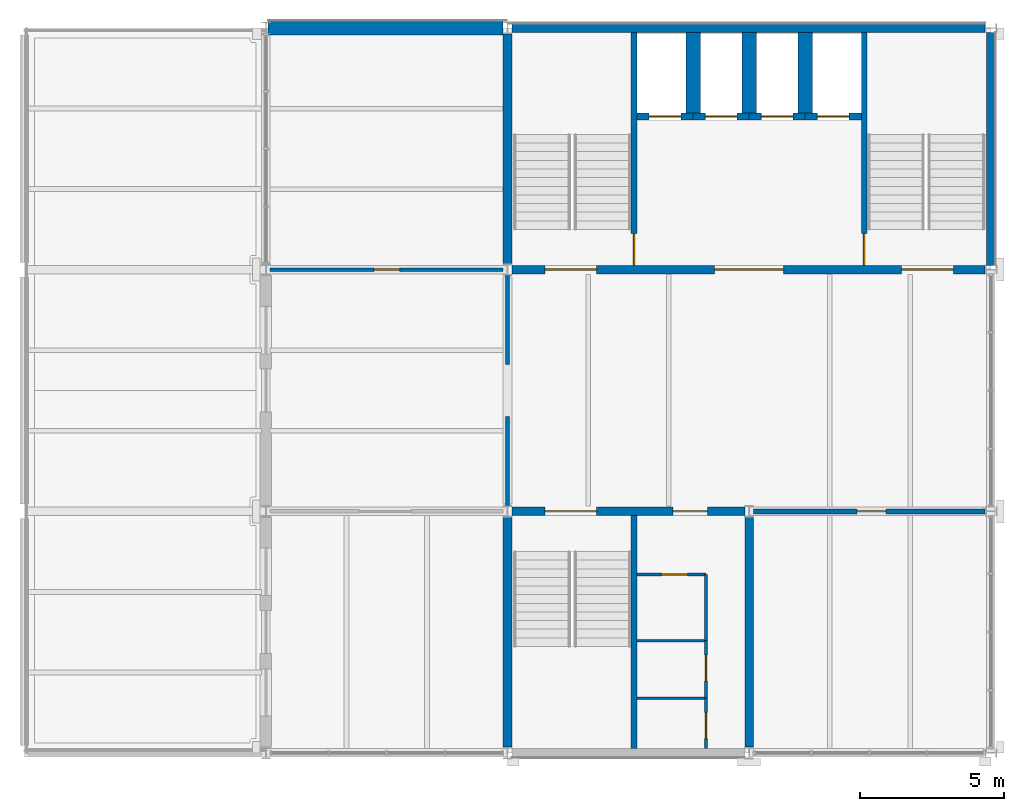
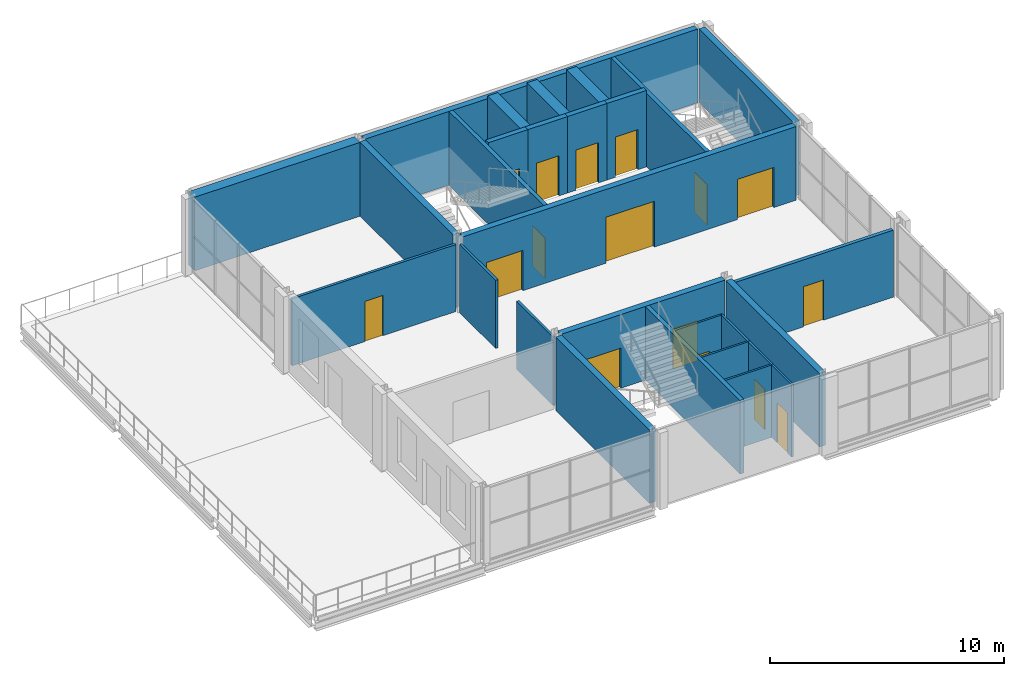
# One storey, part 7 of 9: 28 walls, 16 doors, 16 openings.
"""IFC4 building model written with IfcOpenShell, lengths in metres."""

from ifc_helpers import new_model, si_unit, direction, frame, frame_2d, origin, place, context, subcontext, project, spatial, rectangle, extrude, material, layer, layer_set, type_object, element, fill, save


model = new_model("IFC4")

# Units and contexts
model_context = context("Model", 3, precision=1e-05, world=origin(), true_north=direction((0.0, 1.0)))
body_context = subcontext(model_context, "Body", "Model", "MODEL_VIEW")
ifc_project = project(units=[si_unit("LENGTHUNIT", "METRE"), si_unit("AREAUNIT", "SQUARE_METRE"), si_unit("VOLUMEUNIT", "CUBIC_METRE"), si_unit("PLANEANGLEUNIT", "RADIAN"), si_unit("MASSUNIT", "GRAM", prefix="KILO")], contexts=[model_context])

# Site, building, storey
site_placement = place(None, origin())
site = spatial("IfcSite", under=ifc_project, at=site_placement, CompositionType="ELEMENT")
building_placement = place(site_placement, origin())
building = spatial("IfcBuilding", under=site, at=building_placement, Name="Galleria Vessillo Department Store", CompositionType="ELEMENT")
storey_placement = place(building_placement, frame((0.0, 0.0, 47.60009765625)))
storey = spatial("IfcBuildingStorey", under=building, at=storey_placement, Name="L10", CompositionType="ELEMENT", Elevation=47.60009765625)

# Wall, opening, door
ifc_material_1 = material(Name="Acoustic gypsum board partition")
ifc_layer_1 = layer(ifc_material_1, 0.175048828125)
ifc_layer_set_1 = layer_set([ifc_layer_1], Name="Acoustic gypsum board partition")
wall_type_1 = type_object("IfcWallType", Name="Acoustic conference partition 175 mm", PredefinedType="PARTITIONING", material=ifc_layer_set_1)
wall_1_placement = place(storey_placement, frame((109.349853515625, 46.199951171875, 0.0), z_axis=(0.0, 0.0, 1.0), x_axis=(1.0, 0.0, 0.0)))
wall_1 = element("IfcWall", 1, at=wall_1_placement, inside=storey, type_object=wall_type_1, Name="Partition wall PT6 on L10 no. 008", PredefinedType="PARTITIONING", context=body_context, shape_type="SweptSolid", body=[
    extrude(rectangle(XDim=8.05029296875, YDim=0.175048828125, at=frame_2d((4.025146484375, 0.0))), origin(), (0.0, 0.0, 1.0), 3.5),
])
opening_1_placement = place(wall_1_placement, frame((3.60009765625, 0.0, 0.0)))
opening_1 = element("IfcOpeningElement", 2, at=opening_1_placement, cuts=wall_1, Name="Opening D3205", PredefinedType="OPENING", context=body_context, shape_type="SweptSolid", body=[
    extrude(rectangle(XDim=1.0, YDim=2.10009765625, at=frame_2d((0.5, 1.050048828125))), frame((0.0, 0.09765625, 0.0), z_axis=(0.0, -1.0, 0.0), x_axis=(1.0, 0.0, 0.0)), (0.0, 0.0, 1.0), 0.195068359375),
])
ifc_material_2 = material(Name="Timber and glass door leaf", Category="wood")
door_type_1 = type_object("IfcDoorType", Name="Floor door 1000 single leaf", OperationType="SINGLE_SWING_LEFT", PredefinedType="DOOR", material=ifc_material_2)
door_1_placement = place(opening_1_placement, frame((1.0, 0.0, 0.0), z_axis=(0.0, 0.0, 1.0), x_axis=(-1.0, 0.0, 0.0)))
door_1 = element("IfcDoor", 3, at=door_1_placement, inside=storey, type_object=door_type_1, Name="Door D3205", OperationType="SINGLE_SWING_RIGHT", OverallHeight=2.10009765625, OverallWidth=1.0, PredefinedType="DOOR", context=body_context, shape_type="SweptSolid", body=[
    extrude(rectangle(XDim=1.0, YDim=2.10009765625, at=frame_2d((0.5, 1.050048828125))), frame((0.0, 0.02490234375, 0.0), z_axis=(0.0, -1.0, 0.0), x_axis=(1.0, 0.0, 0.0)), (0.0, 0.0, 1.0), 0.050048828125),
])
fill(opening_1, door_1)

# Walls
ifc_material_3 = material(Name="Solid clay block masonry", Category="masonry")
ifc_layer_2 = layer(ifc_material_3, 0.5)
ifc_layer_set_2 = layer_set([ifc_layer_2], Name="Solid clay block masonry")
wall_type_2 = type_object("IfcWallType", Name="Lift shaft partition wall 500 mm", PredefinedType="SOLIDWALL", material=ifc_layer_set_2)
for number, where, z_axis, x_axis, name in (
    (4, (107.25, 62.85009765625, 0.0), (0.0, 0.0, 1.0), (0.0, -1.0, 0.0), "Lift shaft partition wall T1 L10"),
    (5, (109.199951171875, 62.85009765625, 0.0), (0.0, 0.0, 1.0), (0.0, -1.0, 0.0), "Lift shaft partition wall T2 L10"),
    (6, (111.14990234375, 62.85009765625, 0.0), (0.0, 0.0, 1.0), (0.0, -1.0, 0.0), "Lift shaft partition wall T3 L10"),
):
    element("IfcWall", number, at=place(storey_placement, frame(where, z_axis=z_axis, x_axis=x_axis)), inside=storey, type_object=wall_type_2, Name=name, PredefinedType="SOLIDWALL", context=body_context, shape_type="SweptSolid", body=[
        extrude(rectangle(XDim=2.800048828125, YDim=0.5, at=frame_2d((1.39990234375, 0.0))), origin(), (0.0, 0.0, 1.0), 4.0),
    ])

# Wall, opening, door
ifc_material_4 = material(Name="Solid clay block masonry", Category="masonry")
ifc_layer_3 = layer(ifc_material_4, 0.25)
ifc_layer_set_3 = layer_set([ifc_layer_3], Name="Solid clay block masonry")
wall_type_3 = type_object("IfcWallType", Name="Lift shaft wall 250 mm", PredefinedType="SOLIDWALL", material=ifc_layer_set_3)
wall_2_placement = place(storey_placement, frame((105.300048828125, 59.925048828125, 0.0), z_axis=(0.0, 0.0, 1.0), x_axis=(1.0, 0.0, 0.0)))
wall_2 = element("IfcWall", 7, at=wall_2_placement, inside=storey, type_object=wall_type_3, Name="Lift shaft wall T1 landing side L10", PredefinedType="SOLIDWALL", context=body_context, shape_type="SweptSolid", body=[
    extrude(rectangle(XDim=1.949951171875, YDim=0.25, at=frame_2d((0.97509765625, 0.0))), origin(), (0.0, 0.0, 1.0), 4.0),
])
opening_2_placement = place(wall_2_placement, frame((0.4248046875, 0.0, 0.0)))
opening_2 = element("IfcOpeningElement", 8, at=opening_2_placement, cuts=wall_2, Name="Opening LD113", PredefinedType="OPENING", context=body_context, shape_type="SweptSolid", body=[
    extrude(rectangle(XDim=1.10009765625, YDim=2.10009765625, at=frame_2d((0.550048828125, 1.050048828125))), frame((0.0, 0.135009765625, 0.0), z_axis=(0.0, -1.0, 0.0), x_axis=(1.0, 0.0, 0.0)), (0.0, 0.0, 1.0), 0.27001953125),
])
ifc_material_5 = material(Name="Stainless steel lift door panel", Category="steel")
door_type_2 = type_object("IfcDoorType", Name="Lift landing door LD110 sliding 1100 x 2100", OperationType="SLIDING_TO_LEFT", PredefinedType="DOOR", material=ifc_material_5)
door_2_placement = place(opening_2_placement, frame((1.10009765625, 0.0, 0.0), z_axis=(0.0, 0.0, 1.0), x_axis=(-1.0, 0.0, 0.0)))
door_2 = element("IfcDoor", 9, at=door_2_placement, inside=storey, type_object=door_type_2, Name="Lift landing door T1 L10", OperationType="SLIDING_TO_RIGHT", OverallHeight=2.10009765625, OverallWidth=1.10009765625, PredefinedType="DOOR", context=body_context, shape_type="SweptSolid", body=[
    extrude(rectangle(XDim=1.10009765625, YDim=2.10009765625, at=frame_2d((0.550048828125, 1.050048828125))), frame((0.0, 0.02490234375, 0.0), z_axis=(0.0, -1.0, 0.0), x_axis=(1.0, 0.0, 0.0)), (0.0, 0.0, 1.0), 0.050048828125),
])
fill(opening_2, door_2)

wall_3_placement = place(storey_placement, frame((107.25, 59.925048828125, 0.0), z_axis=(0.0, 0.0, 1.0), x_axis=(1.0, 0.0, 0.0)))
wall_3 = element("IfcWall", 10, at=wall_3_placement, inside=storey, type_object=wall_type_3, Name="Lift shaft wall T2 landing side L10", PredefinedType="SOLIDWALL", context=body_context, shape_type="SweptSolid", body=[
    extrude(rectangle(XDim=1.949951171875, YDim=0.25, at=frame_2d((0.97509765625, 0.0))), origin(), (0.0, 0.0, 1.0), 4.0),
])
opening_3_placement = place(wall_3_placement, frame((0.425048828125, 0.0, 0.0)))
opening_3 = element("IfcOpeningElement", 11, at=opening_3_placement, cuts=wall_3, Name="Opening LD114", PredefinedType="OPENING", context=body_context, shape_type="SweptSolid", body=[
    extrude(rectangle(XDim=1.10009765625, YDim=2.10009765625, at=frame_2d((0.550048828125, 1.050048828125))), frame((0.0, 0.135009765625, 0.0), z_axis=(0.0, -1.0, 0.0), x_axis=(1.0, 0.0, 0.0)), (0.0, 0.0, 1.0), 0.27001953125),
])
door_3_placement = place(opening_3_placement, frame((1.10009765625, 0.0, 0.0), z_axis=(0.0, 0.0, 1.0), x_axis=(-1.0, 0.0, 0.0)))
door_3 = element("IfcDoor", 12, at=door_3_placement, inside=storey, type_object=door_type_2, Name="Lift landing door T2 L10", OperationType="SLIDING_TO_RIGHT", OverallHeight=2.10009765625, OverallWidth=1.10009765625, PredefinedType="DOOR", context=body_context, shape_type="SweptSolid", body=[
    extrude(rectangle(XDim=1.10009765625, YDim=2.10009765625, at=frame_2d((0.550048828125, 1.050048828125))), frame((0.0, 0.02490234375, 0.0), z_axis=(0.0, -1.0, 0.0), x_axis=(1.0, 0.0, 0.0)), (0.0, 0.0, 1.0), 0.050048828125),
])
fill(opening_3, door_3)

wall_4_placement = place(storey_placement, frame((109.199951171875, 59.925048828125, 0.0), z_axis=(0.0, 0.0, 1.0), x_axis=(1.0, 0.0, 0.0)))
wall_4 = element("IfcWall", 13, at=wall_4_placement, inside=storey, type_object=wall_type_3, Name="Lift shaft wall T3 landing side L10", PredefinedType="SOLIDWALL", context=body_context, shape_type="SweptSolid", body=[
    extrude(rectangle(XDim=1.949951171875, YDim=0.25, at=frame_2d((0.97509765625, 0.0))), origin(), (0.0, 0.0, 1.0), 4.0),
])
opening_4_placement = place(wall_4_placement, frame((0.425048828125, 0.0, 0.0)))
opening_4 = element("IfcOpeningElement", 14, at=opening_4_placement, cuts=wall_4, Name="Opening LD115", PredefinedType="OPENING", context=body_context, shape_type="SweptSolid", body=[
    extrude(rectangle(XDim=1.10009765625, YDim=2.10009765625, at=frame_2d((0.550048828125, 1.050048828125))), frame((0.0, 0.135009765625, 0.0), z_axis=(0.0, -1.0, 0.0), x_axis=(1.0, 0.0, 0.0)), (0.0, 0.0, 1.0), 0.27001953125),
])
door_4_placement = place(opening_4_placement, frame((1.10009765625, 0.0, 0.0), z_axis=(0.0, 0.0, 1.0), x_axis=(-1.0, 0.0, 0.0)))
door_4 = element("IfcDoor", 15, at=door_4_placement, inside=storey, type_object=door_type_2, Name="Lift landing door T3 L10", OperationType="SLIDING_TO_RIGHT", OverallHeight=2.10009765625, OverallWidth=1.10009765625, PredefinedType="DOOR", context=body_context, shape_type="SweptSolid", body=[
    extrude(rectangle(XDim=1.10009765625, YDim=2.10009765625, at=frame_2d((0.550048828125, 1.050048828125))), frame((0.0, 0.02490234375, 0.0), z_axis=(0.0, -1.0, 0.0), x_axis=(1.0, 0.0, 0.0)), (0.0, 0.0, 1.0), 0.050048828125),
])
fill(opening_4, door_4)

wall_5_placement = place(storey_placement, frame((111.14990234375, 59.925048828125, 0.0), z_axis=(0.0, 0.0, 1.0), x_axis=(1.0, 0.0, 0.0)))
wall_5 = element("IfcWall", 16, at=wall_5_placement, inside=storey, type_object=wall_type_3, Name="Lift shaft wall T4 landing side L10", PredefinedType="SOLIDWALL", context=body_context, shape_type="SweptSolid", body=[
    extrude(rectangle(XDim=1.9501953125, YDim=0.25, at=frame_2d((0.97509765625, 0.0))), origin(), (0.0, 0.0, 1.0), 4.0),
])
opening_5_placement = place(wall_5_placement, frame((0.425048828125, 0.0, 0.0)))
opening_5 = element("IfcOpeningElement", 17, at=opening_5_placement, cuts=wall_5, Name="Opening LD116", PredefinedType="OPENING", context=body_context, shape_type="SweptSolid", body=[
    extrude(rectangle(XDim=1.10009765625, YDim=2.10009765625, at=frame_2d((0.550048828125, 1.050048828125))), frame((0.0, 0.135009765625, 0.0), z_axis=(0.0, -1.0, 0.0), x_axis=(1.0, 0.0, 0.0)), (0.0, 0.0, 1.0), 0.27001953125),
])
door_5_placement = place(opening_5_placement, frame((1.10009765625, 0.0, 0.0), z_axis=(0.0, 0.0, 1.0), x_axis=(-1.0, 0.0, 0.0)))
door_5 = element("IfcDoor", 18, at=door_5_placement, inside=storey, type_object=door_type_2, Name="Lift landing door T4 L10", OperationType="SLIDING_TO_LEFT", OverallHeight=2.10009765625, OverallWidth=1.10009765625, PredefinedType="DOOR", context=body_context, shape_type="SweptSolid", body=[
    extrude(rectangle(XDim=1.10009765625, YDim=2.10009765625, at=frame_2d((0.550048828125, 1.050048828125))), frame((0.0, 0.02490234375, 0.0), z_axis=(0.0, -1.0, 0.0), x_axis=(1.0, 0.0, 0.0)), (0.0, 0.0, 1.0), 0.050048828125),
])
fill(opening_5, door_5)

# Walls
ifc_material_6 = material(Name="Gypsum board partition")
ifc_layer_4 = layer(ifc_material_6, 0.125)
ifc_layer_set_4 = layer_set([ifc_layer_4], Name="Gypsum board partition")
wall_type_4 = type_object("IfcWallType", Name="Office partition 125 mm", PredefinedType="PARTITIONING", material=ifc_layer_set_4)
for number, where, z_axis, x_axis, name in (
    (19, (100.800048828125, 46.39990234375, 0.0), (0.0, 0.0, 1.0), (0.0, 1.0, 0.0), "Partition wall PT2 on L10 no. 009"),
    (20, (100.800048828125, 51.300048828125, 0.0), (0.0, 0.0, 1.0), (0.0, 1.0, 0.0), "Partition wall PT2 on L10 no. 010"),
):
    element("IfcWall", number, at=place(storey_placement, frame(where, z_axis=z_axis, x_axis=x_axis)), inside=storey, type_object=wall_type_4, Name=name, PredefinedType="PARTITIONING", context=body_context, shape_type="SweptSolid", body=[
        extrude(rectangle(XDim=3.10009765625, YDim=0.125, at=frame_2d((1.550048828125, 0.0))), origin(), (0.0, 0.0, 1.0), 3.56005859375),
    ])

# Wall, opening, door
wall_6_placement = place(storey_placement, frame((92.5498046875, 54.60009765625, 0.0), z_axis=(0.0, 0.0, 1.0), x_axis=(1.0, 0.0, 0.0)))
wall_6 = element("IfcWall", 21, at=wall_6_placement, inside=storey, type_object=wall_type_4, Name="Partition wall PT2 on L10 no. 011", PredefinedType="PARTITIONING", context=body_context, shape_type="SweptSolid", body=[
    extrude(rectangle(XDim=8.100341796875, YDim=0.125, at=frame_2d((4.05029296875, 0.0))), origin(), (0.0, 0.0, 1.0), 3.5),
])
opening_6_placement = place(wall_6_placement, frame((3.60009765625, 0.0, 0.0)))
opening_6 = element("IfcOpeningElement", 22, at=opening_6_placement, cuts=wall_6, Name="Opening D3206", PredefinedType="OPENING", context=body_context, shape_type="SweptSolid", body=[
    extrude(rectangle(XDim=0.89990234375, YDim=2.10009765625, at=frame_2d((0.449951171875, 1.050048828125))), frame((0.0, 0.072509765625, 0.0), z_axis=(0.0, -1.0, 0.0), x_axis=(1.0, 0.0, 0.0)), (0.0, 0.0, 1.0), 0.14501953125),
])
ifc_material_7 = material(Name="Timber and glass door leaf", Category="wood")
door_type_3 = type_object("IfcDoorType", Name="Floor door 900 single leaf", OperationType="SINGLE_SWING_LEFT", PredefinedType="DOOR", material=ifc_material_7)
door_6_placement = place(opening_6_placement, origin())
door_6 = element("IfcDoor", 23, at=door_6_placement, inside=storey, type_object=door_type_3, Name="Door D3206", OperationType="SINGLE_SWING_RIGHT", OverallHeight=2.10009765625, OverallWidth=0.89990234375, PredefinedType="DOOR", context=body_context, shape_type="SweptSolid", body=[
    extrude(rectangle(XDim=0.89990234375, YDim=2.10009765625, at=frame_2d((0.449951171875, 1.050048828125))), frame((0.0, 0.02490234375, 0.0), z_axis=(0.0, -1.0, 0.0), x_axis=(1.0, 0.0, 0.0)), (0.0, 0.0, 1.0), 0.050048828125),
])
fill(opening_6, door_6)

# Wall, openings, doors
ifc_material_8 = material(Name="Concrete C32/40 reinforced", Category="concrete")
ifc_layer_5 = layer(ifc_material_8, 0.300048828125)
ifc_layer_set_5 = layer_set([ifc_layer_5], Name="Concrete C32/40 reinforced")
wall_type_5 = type_object("IfcWallType", Name="Reinforced concrete core wall 300 mm", PredefinedType="SHEAR", material=ifc_layer_set_5)
wall_7_placement = place(storey_placement, frame((100.949951171875, 54.60009765625, 0.0), z_axis=(0.0, 0.0, 1.0), x_axis=(1.0, 0.0, 0.0)))
wall_7 = element("IfcWall", 24, at=wall_7_placement, inside=storey, type_object=wall_type_5, Name="S-CW-TC-INTERIOR-L10", PredefinedType="SHEAR", context=body_context, shape_type="SweptSolid", body=[
    extrude(rectangle(XDim=16.4501953125, YDim=0.300048828125, at=frame_2d((8.22509765625, 0.0))), origin(), (0.0, 0.0, 1.0), 3.85009765625),
])
opening_7_placement = place(wall_7_placement, frame((1.14990234375, 0.0, 0.0)))
opening_7 = element("IfcOpeningElement", 25, at=opening_7_placement, cuts=wall_7, Name="Opening D5292", PredefinedType="OPENING", context=body_context, shape_type="SweptSolid", body=[
    extrude(rectangle(XDim=1.800048828125, YDim=2.10009765625, at=frame_2d((0.89990234375, 1.050048828125))), frame((0.0, 0.16015625, 0.0), z_axis=(0.0, -1.0, 0.0), x_axis=(1.0, 0.0, 0.0)), (0.0, 0.0, 1.0), 0.320068359375),
])
opening_8_placement = place(wall_7_placement, frame((13.5498046875, 0.0, 0.0)))
opening_8 = element("IfcOpeningElement", 26, at=opening_8_placement, cuts=wall_7, Name="Opening D5293", PredefinedType="OPENING", context=body_context, shape_type="SweptSolid", body=[
    extrude(rectangle(XDim=1.800048828125, YDim=2.10009765625, at=frame_2d((0.89990234375, 1.050048828125))), frame((0.0, 0.16015625, 0.0), z_axis=(0.0, -1.0, 0.0), x_axis=(1.0, 0.0, 0.0)), (0.0, 0.0, 1.0), 0.320068359375),
])
opening_9_placement = place(wall_7_placement, frame((7.0498046875, 0.0, 0.0)))
opening_9 = element("IfcOpeningElement", 27, at=opening_9_placement, cuts=wall_7, Name="Opening D5294", PredefinedType="OPENING", context=body_context, shape_type="SweptSolid", body=[
    extrude(rectangle(XDim=2.39990234375, YDim=2.39990234375, at=frame_2d((1.199951171875, 1.199951171875))), frame((0.0, 0.16015625, 0.0), z_axis=(0.0, -1.0, 0.0), x_axis=(1.0, 0.0, 0.0)), (0.0, 0.0, 1.0), 0.320068359375),
])
ifc_material_9 = material(Name="Fire-rated steel door leaf", Category="steel")
door_type_4 = type_object("IfcDoorType", Name="Door D180F double leaf 1800 x 2100", OperationType="DOUBLE_DOOR_SINGLE_SWING", PredefinedType="DOOR", material=ifc_material_9)
door_7_placement = place(opening_7_placement, origin())
door_7 = element("IfcDoor", 28, at=door_7_placement, inside=storey, type_object=door_type_4, Name="Lobby door TC-ST8-FLOOR L10", OperationType="DOUBLE_DOOR_SINGLE_SWING", OverallHeight=2.10009765625, OverallWidth=1.800048828125, PredefinedType="DOOR", context=body_context, shape_type="SweptSolid", body=[
    extrude(rectangle(XDim=1.800048828125, YDim=2.10009765625, at=frame_2d((0.89990234375, 1.050048828125))), frame((0.0, 0.02490234375, 0.0), z_axis=(0.0, -1.0, 0.0), x_axis=(1.0, 0.0, 0.0)), (0.0, 0.0, 1.0), 0.050048828125),
])
fill(opening_7, door_7)
door_8_placement = place(opening_8_placement, origin())
door_8 = element("IfcDoor", 29, at=door_8_placement, inside=storey, type_object=door_type_4, Name="Lobby door TC-ST9-FLOOR L10", OperationType="DOUBLE_DOOR_SINGLE_SWING", OverallHeight=2.10009765625, OverallWidth=1.800048828125, PredefinedType="DOOR", context=body_context, shape_type="SweptSolid", body=[
    extrude(rectangle(XDim=1.800048828125, YDim=2.10009765625, at=frame_2d((0.89990234375, 1.050048828125))), frame((0.0, 0.02490234375, 0.0), z_axis=(0.0, -1.0, 0.0), x_axis=(1.0, 0.0, 0.0)), (0.0, 0.0, 1.0), 0.050048828125),
])
fill(opening_8, door_8)
ifc_material_10 = material(Name="Fire-rated steel door leaf", Category="steel")
door_type_5 = type_object("IfcDoorType", Name="Door D240F double leaf 2400 x 2400", OperationType="DOUBLE_DOOR_SINGLE_SWING", PredefinedType="DOOR", material=ifc_material_10)
door_9_placement = place(opening_9_placement, frame((2.39990234375, 0.0, 0.0), z_axis=(0.0, 0.0, 1.0), x_axis=(-1.0, 0.0, 0.0)))
door_9 = element("IfcDoor", 30, at=door_9_placement, inside=storey, type_object=door_type_5, Name="Lobby door TC-LOBBY-FLOOR L10", OperationType="DOUBLE_DOOR_SINGLE_SWING", OverallHeight=2.39990234375, OverallWidth=2.39990234375, PredefinedType="DOOR", context=body_context, shape_type="SweptSolid", body=[
    extrude(rectangle(XDim=2.39990234375, YDim=2.39990234375, at=frame_2d((1.199951171875, 1.199951171875))), frame((0.0, 0.02490234375, 0.0), z_axis=(0.0, -1.0, 0.0), x_axis=(1.0, 0.0, 0.0)), (0.0, 0.0, 1.0), 0.050048828125),
])
fill(opening_9, door_9)

# Wall
wall_8_placement = place(storey_placement, frame((100.800048828125, 54.800048828125, 0.0), z_axis=(0.0, 0.0, 1.0), x_axis=(0.0, 1.0, 0.0)))
element("IfcWall", 31, at=wall_8_placement, inside=storey, type_object=wall_type_5, Name="S-CW-TC-WEST-L10", PredefinedType="SHEAR", context=body_context, shape_type="SweptSolid", body=[
    extrude(rectangle(XDim=8.0, YDim=0.300048828125, at=frame_2d((4.0, 0.0))), origin(), (0.0, 0.0, 1.0), 3.85009765625),
])

# Wall, openings, doors
wall_9_placement = place(storey_placement, frame((100.949951171875, 46.199951171875, 0.0), z_axis=(0.0, 0.0, 1.0), x_axis=(1.0, 0.0, 0.0)))
wall_9 = element("IfcWall", 32, at=wall_9_placement, inside=storey, type_object=wall_type_5, Name="S-CW-TS-INTERIOR-L10", PredefinedType="SHEAR", context=body_context, shape_type="SweptSolid", body=[
    extrude(rectangle(XDim=8.10009765625, YDim=0.300048828125, at=frame_2d((4.050048828125, 0.0))), origin(), (0.0, 0.0, 1.0), 3.85009765625),
])
opening_10_placement = place(wall_9_placement, frame((1.14990234375, 0.0, 0.0)))
opening_10 = element("IfcOpeningElement", 33, at=opening_10_placement, cuts=wall_9, Name="Opening D5329", PredefinedType="OPENING", context=body_context, shape_type="SweptSolid", body=[
    extrude(rectangle(XDim=1.800048828125, YDim=2.10009765625, at=frame_2d((0.89990234375, 1.050048828125))), frame((0.0, 0.16015625, 0.0), z_axis=(0.0, -1.0, 0.0), x_axis=(1.0, 0.0, 0.0)), (0.0, 0.0, 1.0), 0.320068359375),
])
opening_11_placement = place(wall_9_placement, frame((5.599853515625, 0.0, 0.0)))
opening_11 = element("IfcOpeningElement", 34, at=opening_11_placement, cuts=wall_9, Name="Opening D5330", PredefinedType="OPENING", context=body_context, shape_type="SweptSolid", body=[
    extrude(rectangle(XDim=1.199951171875, YDim=2.10009765625, at=frame_2d((0.60009765625, 1.050048828125))), frame((0.0, 0.16015625, 0.0), z_axis=(0.0, -1.0, 0.0), x_axis=(1.0, 0.0, 0.0)), (0.0, 0.0, 1.0), 0.320068359375),
])
ifc_material_11 = material(Name="Fire-rated steel door leaf", Category="steel")
door_type_6 = type_object("IfcDoorType", Name="Door D120F fire door 1200 x 2100", OperationType="SINGLE_SWING_LEFT", PredefinedType="DOOR", material=ifc_material_11)
door_10_placement = place(opening_11_placement, frame((1.199951171875, 0.0, 0.0), z_axis=(0.0, 0.0, 1.0), x_axis=(-1.0, 0.0, 0.0)))
door_10 = element("IfcDoor", 35, at=door_10_placement, inside=storey, type_object=door_type_6, Name="Lobby door TS-WC-FLOOR L10", OperationType="SINGLE_SWING_LEFT", OverallHeight=2.10009765625, OverallWidth=1.199951171875, PredefinedType="DOOR", context=body_context, shape_type="SweptSolid", body=[
    extrude(rectangle(XDim=1.199951171875, YDim=2.10009765625, at=frame_2d((0.60009765625, 1.050048828125))), frame((0.0, 0.02490234375, 0.0), z_axis=(0.0, -1.0, 0.0), x_axis=(1.0, 0.0, 0.0)), (0.0, 0.0, 1.0), 0.050048828125),
])
fill(opening_11, door_10)
door_11_placement = place(opening_10_placement, frame((1.800048828125, 0.0, 0.0), z_axis=(0.0, 0.0, 1.0), x_axis=(-1.0, 0.0, 0.0)))
door_11 = element("IfcDoor", 36, at=door_11_placement, inside=storey, type_object=door_type_4, Name="Lobby door TS-ST12-FLOOR L10", OperationType="DOUBLE_DOOR_SINGLE_SWING", OverallHeight=2.10009765625, OverallWidth=1.800048828125, PredefinedType="DOOR", context=body_context, shape_type="SweptSolid", body=[
    extrude(rectangle(XDim=1.800048828125, YDim=2.10009765625, at=frame_2d((0.89990234375, 1.050048828125))), frame((0.0, 0.02490234375, 0.0), z_axis=(0.0, -1.0, 0.0), x_axis=(1.0, 0.0, 0.0)), (0.0, 0.0, 1.0), 0.050048828125),
])
fill(opening_10, door_11)

# Walls
for number, where, z_axis, x_axis, name in (
    (37, (100.800048828125, 38.0, 0.0), (0.0, 0.0, 1.0), (0.0, 1.0, 0.0), "S-CW-TS-WEST-L10"),
    (38, (109.199951171875, 38.0, 0.0), (0.0, 0.0, 1.0), (0.0, 1.0, 0.0), "S-CW-TS-EAST-L10"),
):
    element("IfcWall", number, at=place(storey_placement, frame(where, z_axis=z_axis, x_axis=x_axis)), inside=storey, type_object=wall_type_5, Name=name, PredefinedType="SHEAR", context=body_context, shape_type="SweptSolid", body=[
        extrude(rectangle(XDim=8.0, YDim=0.300048828125, at=frame_2d((4.0, 0.0))), origin(), (0.0, 0.0, 1.0), 3.85009765625),
    ])
ifc_material_12 = material(Name="Concrete C32/40 reinforced", Category="concrete")
ifc_layer_6 = layer(ifc_material_12, 0.300048828125)
ifc_layer_set_6 = layer_set([ifc_layer_6], Name="Concrete C32/40 reinforced")
wall_type_6 = type_object("IfcWallType", Name="Reinforced concrete core wall 300 mm, external", PredefinedType="SHEAR", material=ifc_layer_set_6)
wall_10_placement = place(storey_placement, frame((100.949951171875, 63.0, 0.0), z_axis=(0.0, 0.0, 1.0), x_axis=(1.0, 0.0, 0.0)))
element("IfcWall", 39, at=wall_10_placement, inside=storey, type_object=wall_type_6, Name="S-CW-TC-PARTY-L10", PredefinedType="SHEAR", context=body_context, shape_type="SweptSolid", body=[
    extrude(rectangle(XDim=16.4501953125, YDim=0.300048828125, at=frame_2d((8.22509765625, 0.0))), origin(), (0.0, 0.0, 1.0), 3.85009765625),
])
wall_11_placement = place(storey_placement, frame((117.60009765625, 54.75, 0.0), z_axis=(0.0, 0.0, 1.0), x_axis=(0.0, 1.0, 0.0)))
element("IfcWall", 40, at=wall_11_placement, inside=storey, type_object=wall_type_6, Name="S-CW-TC-EAST-L10", PredefinedType="SHEAR", context=body_context, shape_type="SweptSolid", body=[
    extrude(rectangle(XDim=8.10009765625, YDim=0.300048828125, at=frame_2d((4.050048828125, 0.0))), origin(), (0.0, 0.0, 1.0), 3.85009765625),
])
ifc_material_13 = material(Name="Concrete C32/40 reinforced", Category="concrete")
ifc_layer_7 = layer(ifc_material_13, 0.5)
ifc_layer_set_7 = layer_set([ifc_layer_7], Name="Concrete C32/40 reinforced")
wall_type_7 = type_object("IfcWallType", Name="Reinforced concrete party wall 500 mm", PredefinedType="SHEAR", material=ifc_layer_set_7)
wall_12_placement = place(storey_placement, frame((92.474853515625, 63.0, 0.0), z_axis=(0.0, 0.0, 1.0), x_axis=(1.0, 0.0, 0.0)))
element("IfcWall", 41, at=wall_12_placement, inside=storey, type_object=wall_type_7, Name="S-TN-L10-01", PredefinedType="SHEAR", context=body_context, shape_type="SweptSolid", body=[
    extrude(rectangle(XDim=8.17529296875, YDim=0.5, at=frame_2d((4.087646484375, 0.0))), origin(), (0.0, 0.0, 1.0), 3.85009765625),
])

# Wall, opening, door
ifc_material_14 = material(Name="Concrete C32/40 reinforced", Category="concrete")
ifc_layer_8 = layer(ifc_material_14, 0.199951171875)
ifc_layer_set_8 = layer_set([ifc_layer_8], Name="Concrete C32/40 reinforced")
wall_type_8 = type_object("IfcWallType", Name="Reinforced concrete stair enclosure wall 200 mm", PredefinedType="SHEAR", material=ifc_layer_set_8)
wall_13_placement = place(storey_placement, frame((105.199951171875, 62.85009765625, 0.0), z_axis=(0.0, 0.0, 1.0), x_axis=(0.0, -1.0, 0.0)))
wall_13 = element("IfcWall", 42, at=wall_13_placement, inside=storey, type_object=wall_type_8, Name="Stair enclosure wall TC L10", PredefinedType="SHEAR", context=body_context, shape_type="SweptSolid", body=[
    extrude(rectangle(XDim=8.10009765625, YDim=0.199951171875, at=frame_2d((4.050048828125, 0.0))), origin(), (0.0, 0.0, 1.0), 3.849853515625),
])
opening_12_placement = place(wall_13_placement, frame((7.0, 0.0, 0.0)))
opening_12 = element("IfcOpeningElement", 43, at=opening_12_placement, cuts=wall_13, Name="Opening D5290", PredefinedType="OPENING", context=body_context, shape_type="SweptSolid", body=[
    extrude(rectangle(XDim=1.11009765625, YDim=2.10009765625, at=frame_2d((0.554931640625, 1.050048828125))), frame((0.0, 0.10986328125, 0.0), z_axis=(0.0, -1.0, 0.0), x_axis=(1.0, 0.0, 0.0)), (0.0, 0.0, 1.0), 0.219970703125),
])
ifc_material_15 = material(Name="Fire-rated steel door leaf", Category="steel")
door_type_7 = type_object("IfcDoorType", Name="Door D110F stair door 1100 x 2100", OperationType="SINGLE_SWING_LEFT", PredefinedType="DOOR", material=ifc_material_15)
door_12_placement = place(opening_12_placement, frame((1.10009765625, 0.0, 0.0), z_axis=(0.0, 0.0, 1.0), x_axis=(-1.0, 0.0, 0.0)))
door_12 = element("IfcDoor", 44, at=door_12_placement, inside=storey, type_object=door_type_7, Name="Stair door TC-ST8-LOBBY L10", OperationType="SINGLE_SWING_LEFT", OverallHeight=2.10009765625, OverallWidth=1.10009765625, PredefinedType="DOOR", context=body_context, shape_type="SweptSolid", body=[
    extrude(rectangle(XDim=1.10009765625, YDim=2.10009765625, at=frame_2d((0.550048828125, 1.050048828125))), frame((0.0, 0.02490234375, 0.0), z_axis=(0.0, -1.0, 0.0), x_axis=(1.0, 0.0, 0.0)), (0.0, 0.0, 1.0), 0.050048828125),
])
fill(opening_12, door_12)

wall_14_placement = place(storey_placement, frame((113.199951171875, 62.85009765625, 0.0), z_axis=(0.0, 0.0, 1.0), x_axis=(0.0, -1.0, 0.0)))
wall_14 = element("IfcWall", 45, at=wall_14_placement, inside=storey, type_object=wall_type_8, Name="Stair enclosure wall TC L10", PredefinedType="SHEAR", context=body_context, shape_type="SweptSolid", body=[
    extrude(rectangle(XDim=8.10009765625, YDim=0.199951171875, at=frame_2d((4.050048828125, 0.0))), origin(), (0.0, 0.0, 1.0), 3.849853515625),
])
opening_13_placement = place(wall_14_placement, frame((7.0, 0.0, 0.0)))
opening_13 = element("IfcOpeningElement", 46, at=opening_13_placement, cuts=wall_14, Name="Opening D5291", PredefinedType="OPENING", context=body_context, shape_type="SweptSolid", body=[
    extrude(rectangle(XDim=1.11009765625, YDim=2.10009765625, at=frame_2d((0.554931640625, 1.050048828125))), frame((0.0, 0.10986328125, 0.0), z_axis=(0.0, -1.0, 0.0), x_axis=(1.0, 0.0, 0.0)), (0.0, 0.0, 1.0), 0.219970703125),
])
door_13_placement = place(opening_13_placement, origin())
door_13 = element("IfcDoor", 47, at=door_13_placement, inside=storey, type_object=door_type_7, Name="Stair door TC-ST9-LOBBY L10", OperationType="SINGLE_SWING_RIGHT", OverallHeight=2.10009765625, OverallWidth=1.10009765625, PredefinedType="DOOR", context=body_context, shape_type="SweptSolid", body=[
    extrude(rectangle(XDim=1.10009765625, YDim=2.10009765625, at=frame_2d((0.550048828125, 1.050048828125))), frame((0.0, 0.02490234375, 0.0), z_axis=(0.0, -1.0, 0.0), x_axis=(1.0, 0.0, 0.0)), (0.0, 0.0, 1.0), 0.050048828125),
])
fill(opening_13, door_13)

# Wall
wall_15_placement = place(storey_placement, frame((105.199951171875, 37.949951171875, 0.0), z_axis=(0.0, 0.0, 1.0), x_axis=(0.0, 1.0, 0.0)))
element("IfcWall", 48, at=wall_15_placement, inside=storey, type_object=wall_type_8, Name="Stair enclosure wall TS L10", PredefinedType="SHEAR", context=body_context, shape_type="SweptSolid", body=[
    extrude(rectangle(XDim=8.10009765625, YDim=0.199951171875, at=frame_2d((4.050048828125, 0.0))), origin(), (0.0, 0.0, 1.0), 3.849853515625),
])

# Wall, opening, door
ifc_material_16 = material(Name="Moisture-resistant board partition")
ifc_layer_9 = layer(ifc_material_16, 0.10009765625)
ifc_layer_set_9 = layer_set([ifc_layer_9], Name="Moisture-resistant board partition")
wall_type_9 = type_object("IfcWallType", Name="WC and cubicle partition 100 mm", PredefinedType="PARTITIONING", material=ifc_layer_set_9)
wall_16_placement = place(storey_placement, frame((105.300048828125, 44.0, 0.0), z_axis=(0.0, 0.0, 1.0), x_axis=(1.0, 0.0, 0.0)))
wall_16 = element("IfcWall", 49, at=wall_16_placement, inside=storey, type_object=wall_type_9, Name="Partition wall PT1 on L10 no. 001", PredefinedType="PARTITIONING", context=body_context, shape_type="SweptSolid", body=[
    extrude(rectangle(XDim=2.39990234375, YDim=0.10009765625, at=frame_2d((1.199951171875, 0.0))), origin(), (0.0, 0.0, 1.0), 3.780029296875),
])
opening_14_placement = place(wall_16_placement, frame((0.85009765625, 0.0, 0.0)))
opening_14 = element("IfcOpeningElement", 50, at=opening_14_placement, cuts=wall_16, Name="Opening D3201", PredefinedType="OPENING", context=body_context, shape_type="SweptSolid", body=[
    extrude(rectangle(XDim=0.89990234375, YDim=2.10009765625, at=frame_2d((0.449951171875, 1.050048828125))), frame((0.0, 0.06005859375, 0.0), z_axis=(0.0, -1.0, 0.0), x_axis=(1.0, 0.0, 0.0)), (0.0, 0.0, 1.0), 0.1201171875),
])
door_14_placement = place(opening_14_placement, origin())
door_14 = element("IfcDoor", 51, at=door_14_placement, inside=storey, type_object=door_type_3, Name="Door D3201", OperationType="SINGLE_SWING_LEFT", OverallHeight=2.10009765625, OverallWidth=0.89990234375, PredefinedType="DOOR", context=body_context, shape_type="SweptSolid", body=[
    extrude(rectangle(XDim=0.89990234375, YDim=2.10009765625, at=frame_2d((0.449951171875, 1.050048828125))), frame((0.0, 0.02490234375, 0.0), z_axis=(0.0, -1.0, 0.0), x_axis=(1.0, 0.0, 0.0)), (0.0, 0.0, 1.0), 0.050048828125),
])
fill(opening_14, door_14)

# Wall
wall_17_placement = place(storey_placement, frame((107.699951171875, 41.699951171875, 0.0), z_axis=(0.0, 0.0, 1.0), x_axis=(0.0, 1.0, 0.0)))
element("IfcWall", 52, at=wall_17_placement, inside=storey, type_object=wall_type_9, Name="Partition wall PT1 on L10 no. 002", PredefinedType="PARTITIONING", context=body_context, shape_type="SweptSolid", body=[
    extrude(rectangle(XDim=2.300048828125, YDim=0.10009765625, at=frame_2d((1.14990234375, 0.0))), origin(), (0.0, 0.0, 1.0), 3.780029296875),
])

# Wall, opening, door
wall_18_placement = place(storey_placement, frame((107.699951171875, 39.699951171875, 0.0), z_axis=(0.0, 0.0, 1.0), x_axis=(0.0, 1.0, 0.0)))
wall_18 = element("IfcWall", 53, at=wall_18_placement, inside=storey, type_object=wall_type_9, Name="Partition wall PT1 on L10 no. 003", PredefinedType="PARTITIONING", context=body_context, shape_type="SweptSolid", body=[
    extrude(rectangle(XDim=2.0, YDim=0.10009765625, at=frame_2d((1.0, 0.0))), origin(), (0.0, 0.0, 1.0), 3.780029296875),
])
opening_15_placement = place(wall_18_placement, frame((0.60009765625, 0.0, 0.0)))
opening_15 = element("IfcOpeningElement", 54, at=opening_15_placement, cuts=wall_18, Name="Opening D3202", PredefinedType="OPENING", context=body_context, shape_type="SweptSolid", body=[
    extrude(rectangle(XDim=0.89990234375, YDim=2.10009765625, at=frame_2d((0.449951171875, 1.050048828125))), frame((0.0, 0.06005859375, 0.0), z_axis=(0.0, -1.0, 0.0), x_axis=(1.0, 0.0, 0.0)), (0.0, 0.0, 1.0), 0.1201171875),
])
door_15_placement = place(opening_15_placement, frame((0.89990234375, 0.0, 0.0), z_axis=(0.0, 0.0, 1.0), x_axis=(-1.0, 0.0, 0.0)))
door_15 = element("IfcDoor", 55, at=door_15_placement, inside=storey, type_object=door_type_3, Name="Door D3202", OperationType="SINGLE_SWING_RIGHT", OverallHeight=2.10009765625, OverallWidth=0.89990234375, PredefinedType="DOOR", context=body_context, shape_type="SweptSolid", body=[
    extrude(rectangle(XDim=0.89990234375, YDim=2.10009765625, at=frame_2d((0.449951171875, 1.050048828125))), frame((0.0, 0.02490234375, 0.0), z_axis=(0.0, -1.0, 0.0), x_axis=(1.0, 0.0, 0.0)), (0.0, 0.0, 1.0), 0.050048828125),
])
fill(opening_15, door_15)

wall_19_placement = place(storey_placement, frame((107.699951171875, 37.949951171875, 0.0), z_axis=(0.0, 0.0, 1.0), x_axis=(0.0, 1.0, 0.0)))
wall_19 = element("IfcWall", 56, at=wall_19_placement, inside=storey, type_object=wall_type_9, Name="Partition wall PT1 on L10 no. 004", PredefinedType="PARTITIONING", context=body_context, shape_type="SweptSolid", body=[
    extrude(rectangle(XDim=1.75, YDim=0.10009765625, at=frame_2d((0.875, 0.0))), origin(), (0.0, 0.0, 1.0), 3.780029296875),
])
opening_16_placement = place(wall_19_placement, frame((0.35009765625, 0.0, 0.0)))
opening_16 = element("IfcOpeningElement", 57, at=opening_16_placement, cuts=wall_19, Name="Opening D3203", PredefinedType="OPENING", context=body_context, shape_type="SweptSolid", body=[
    extrude(rectangle(XDim=0.89990234375, YDim=2.10009765625, at=frame_2d((0.449951171875, 1.050048828125))), frame((0.0, 0.06005859375, 0.0), z_axis=(0.0, -1.0, 0.0), x_axis=(1.0, 0.0, 0.0)), (0.0, 0.0, 1.0), 0.1201171875),
])
ifc_material_17 = material(Name="Timber and glass door leaf", Category="wood")
door_type_8 = type_object("IfcDoorType", Name="Accessible WC door 900 sliding", OperationType="SLIDING_TO_LEFT", PredefinedType="DOOR", material=ifc_material_17)
door_16_placement = place(opening_16_placement, origin())
door_16 = element("IfcDoor", 58, at=door_16_placement, inside=storey, type_object=door_type_8, Name="Door D3203", OperationType="SLIDING_TO_RIGHT", OverallHeight=2.10009765625, OverallWidth=0.89990234375, PredefinedType="DOOR", context=body_context, shape_type="SweptSolid", body=[
    extrude(rectangle(XDim=0.89990234375, YDim=2.10009765625, at=frame_2d((0.449951171875, 1.050048828125))), frame((0.0, 0.02490234375, 0.0), z_axis=(0.0, -1.0, 0.0), x_axis=(1.0, 0.0, 0.0)), (0.0, 0.0, 1.0), 0.050048828125),
])
fill(opening_16, door_16)

# Walls
for number, where, z_axis, x_axis, name in (
    (59, (105.300048828125, 41.699951171875, 0.0), (0.0, 0.0, 1.0), (1.0, 0.0, 0.0), "Partition wall PT1 on L10 no. 005"),
    (60, (105.300048828125, 39.699951171875, 0.0), (0.0, 0.0, 1.0), (1.0, 0.0, 0.0), "Partition wall PT1 on L10 no. 006"),
):
    element("IfcWall", number, at=place(storey_placement, frame(where, z_axis=z_axis, x_axis=x_axis)), inside=storey, type_object=wall_type_9, Name=name, PredefinedType="PARTITIONING", context=body_context, shape_type="SweptSolid", body=[
        extrude(rectangle(XDim=2.39990234375, YDim=0.10009765625, at=frame_2d((1.199951171875, 0.0))), origin(), (0.0, 0.0, 1.0), 3.780029296875),
    ])

save(model, "model.ifc")
